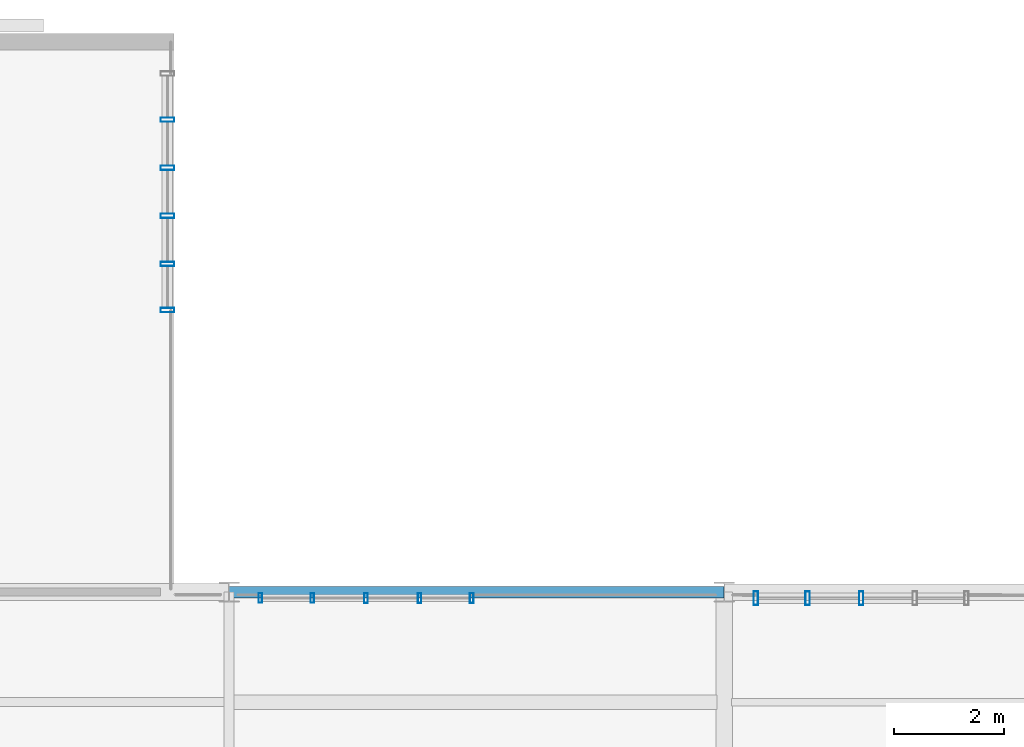
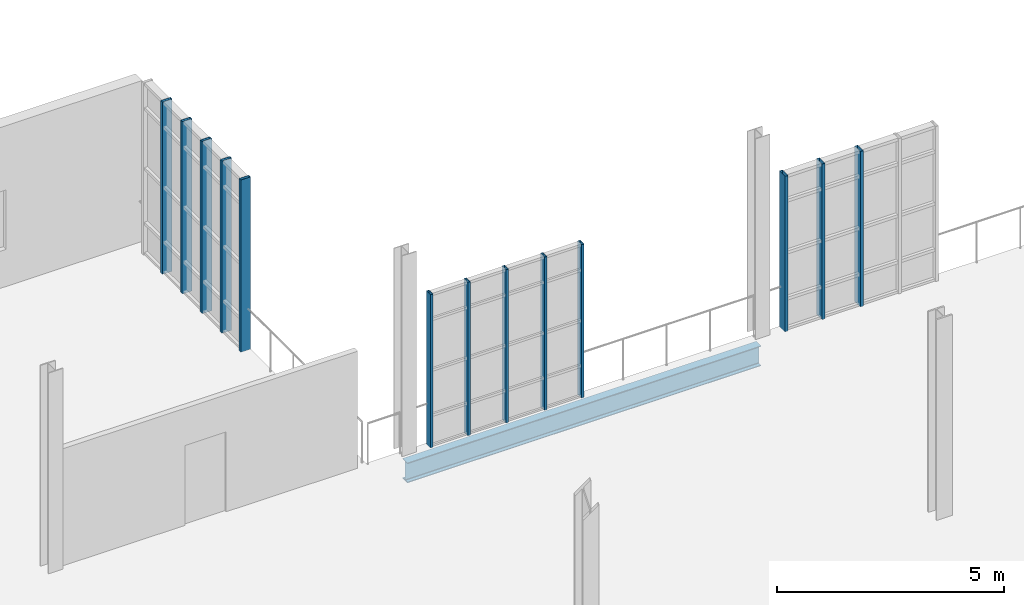
# One storey, part 57 of 142: 13 members, 1 beam, 3 elements without a shape of their own.
"""IFC4 building model written with IfcOpenShell, lengths in metres."""

from ifc_helpers import new_model, si_unit, direction, frame, origin, origin_2d, place, context, subcontext, project, spatial, hollow_rectangle, i_section, extrude, material, layer, layer_set, material_profile, profile_set, type_object, element, aggregate, save


model = new_model("IFC4")

# Units and contexts
model_context = context("Model", 3, precision=1e-05, world=origin(), true_north=direction((0.0, 1.0)))
body_context = subcontext(model_context, "Body", "Model", "MODEL_VIEW")
ifc_project = project(units=[si_unit("LENGTHUNIT", "METRE"), si_unit("AREAUNIT", "SQUARE_METRE"), si_unit("VOLUMEUNIT", "CUBIC_METRE"), si_unit("PLANEANGLEUNIT", "RADIAN"), si_unit("MASSUNIT", "GRAM", prefix="KILO"), si_unit("THERMODYNAMICTEMPERATUREUNIT", "KELVIN"), si_unit("POWERUNIT", "WATT")], contexts=[model_context])

# Site, building, storey
site_placement = place(None, origin())
site = spatial("IfcSite", under=ifc_project, at=site_placement, CompositionType="ELEMENT")
building_placement = place(site_placement, origin())
building = spatial("IfcBuilding", under=site, at=building_placement, Name="Zelmaris Science Centre", CompositionType="ELEMENT")
storey_placement = place(building_placement, frame((0.0, 0.0, 5.39990234375)))
storey = spatial("IfcBuildingStorey", under=building, at=storey_placement, Name="L01", CompositionType="ELEMENT", Elevation=5.39990234375)

# Curtain wall, members
ifc_material_1 = material(Name="Anodised architectural aluminium 6063-T6", Category="aluminium")
ifc_layer_1 = layer(ifc_material_1, 0.2099609375, Name="Anodised architectural aluminium 6063-T6")
ifc_layer_set_1 = layer_set([ifc_layer_1], Name="Anodised architectural aluminium 6063-T6")
curtain_wall_type_1 = type_object("IfcCurtainWallType", Name="Curtain Wall CW-03", PredefinedType="USERDEFINED", material=ifc_layer_set_1)
curtain_wall_1_placement = place(storey_placement, origin())
curtain_wall_1 = element("IfcCurtainWall", 1, at=curtain_wall_1_placement, inside=storey, type_object=curtain_wall_type_1, Name="L01 Unitised curtain wall 143", ObjectType="GLAZED CURTAIN WALL", PredefinedType="USERDEFINED")
ifc_material_profile_1 = material_profile(ifc_material_1, hollow_rectangle(XDim=0.06494140625, YDim=0.179931640625, WallThickness=0.00390625, at=origin_2d()), Name="ALU-MUL-65X180")
ifc_profile_set_1 = profile_set([ifc_material_profile_1], Name="Anodised architectural aluminium 6063-T6")
member_type_1 = type_object("IfcMemberType", Name="ALU-MUL-65X180", PredefinedType="MULLION", material=ifc_profile_set_1)
member_1_placement = place(storey_placement, frame((117.568359375, 55.892822265625, -0.014892578125), z_axis=(0.0, 0.0, 1.0), x_axis=(0.99999988059, -0.000488692171, 0.0)))
member_1 = element("IfcMember", 2, at=member_1_placement, type_object=member_type_1, Name="CW-03 mullion 1", PredefinedType="MULLION", context=body_context, shape_type="SweptSolid", body=[
    extrude(hollow_rectangle(XDim=0.06494140625, YDim=0.179931640625, WallThickness=0.00390625, at=origin_2d()), origin(), (0.0, 0.0, 1.0), 4.12890625),
])
member_2_placement = place(storey_placement, frame((118.514892578125, 55.892333984375, -0.014892578125), z_axis=(0.0, 0.0, 1.0), x_axis=(0.99999988059, -0.000488692171, 0.0)))
member_2 = element("IfcMember", 3, at=member_2_placement, type_object=member_type_1, Name="CW-03 mullion 2", PredefinedType="MULLION", context=body_context, shape_type="SweptSolid", body=[
    extrude(hollow_rectangle(XDim=0.06494140625, YDim=0.179931640625, WallThickness=0.00390625, at=origin_2d()), origin(), (0.0, 0.0, 1.0), 4.12890625),
])
member_3_placement = place(storey_placement, frame((119.489990234375, 55.891845703125, -0.014892578125), z_axis=(0.0, 0.0, 1.0), x_axis=(0.99999988059, -0.000488692171, 0.0)))
member_3 = element("IfcMember", 4, at=member_3_placement, type_object=member_type_1, Name="CW-03 mullion 3", PredefinedType="MULLION", context=body_context, shape_type="SweptSolid", body=[
    extrude(hollow_rectangle(XDim=0.06494140625, YDim=0.179931640625, WallThickness=0.00390625, at=origin_2d()), origin(), (0.0, 0.0, 1.0), 4.12890625),
])
member_4_placement = place(storey_placement, frame((120.46484375, 55.891357421875, -0.014892578125), z_axis=(0.0, 0.0, 1.0), x_axis=(0.99999988059, -0.000488692171, 0.0)))
member_4 = element("IfcMember", 5, at=member_4_placement, type_object=member_type_1, Name="CW-03 mullion 4", PredefinedType="MULLION", context=body_context, shape_type="SweptSolid", body=[
    extrude(hollow_rectangle(XDim=0.06494140625, YDim=0.179931640625, WallThickness=0.00390625, at=origin_2d()), origin(), (0.0, 0.0, 1.0), 4.12890625),
])
member_5_placement = place(storey_placement, frame((121.411376953125, 55.89111328125, -0.014892578125), z_axis=(0.0, 0.0, 1.0), x_axis=(0.99999988059, -0.000488692171, 0.0)))
member_5 = element("IfcMember", 6, at=member_5_placement, type_object=member_type_1, Name="CW-03 mullion 5", PredefinedType="MULLION", context=body_context, shape_type="SweptSolid", body=[
    extrude(hollow_rectangle(XDim=0.06494140625, YDim=0.179931640625, WallThickness=0.00390625, at=origin_2d()), origin(), (0.0, 0.0, 1.0), 4.12890625),
])
aggregate(curtain_wall_1, [member_1, member_2, member_3, member_4, member_5])

ifc_layer_2 = layer(ifc_material_1, 0.18994140625, Name="Anodised architectural aluminium 6063-T6")
ifc_layer_set_2 = layer_set([ifc_layer_2], Name="Anodised architectural aluminium 6063-T6")
curtain_wall_type_2 = type_object("IfcCurtainWallType", Name="Curtain Wall CW-01", PredefinedType="USERDEFINED", material=ifc_layer_set_2)
curtain_wall_2_placement = place(storey_placement, origin())
curtain_wall_2 = element("IfcCurtainWall", 7, at=curtain_wall_2_placement, inside=storey, type_object=curtain_wall_type_2, Name="L01 Unitised curtain wall 141", ObjectType="GLAZED CURTAIN WALL", PredefinedType="USERDEFINED")
ifc_material_profile_2 = material_profile(ifc_material_1, hollow_rectangle(XDim=0.080078125, YDim=0.25, WallThickness=0.0048828125, at=origin_2d()), Name="ALU-MUL-80X250")
ifc_profile_set_2 = profile_set([ifc_material_profile_2], Name="Anodised architectural aluminium 6063-T6")
member_type_2 = type_object("IfcMemberType", Name="ALU-MUL-80X250", PredefinedType="MULLION", material=ifc_profile_set_2)
member_6_placement = place(storey_placement, frame((115.8798828125, 64.5859375, -0.014892578125), z_axis=(0.0, 0.0, 1.0), x_axis=(6.981317e-06, -0.999999999976, 0.0)))
member_6 = element("IfcMember", 8, at=member_6_placement, type_object=member_type_2, Name="CW-01 mullion 2", PredefinedType="MULLION", context=body_context, shape_type="SweptSolid", body=[
    extrude(hollow_rectangle(XDim=0.080078125, YDim=0.25, WallThickness=0.0048828125, at=origin_2d()), origin(), (0.0, 0.0, 1.0), 4.635009765625),
])
member_7_placement = place(storey_placement, frame((115.8798828125, 63.7119140625, -0.014892578125), z_axis=(0.0, 0.0, 1.0), x_axis=(6.981317e-06, -0.999999999976, 0.0)))
member_7 = element("IfcMember", 9, at=member_7_placement, type_object=member_type_2, Name="CW-01 mullion 3", PredefinedType="MULLION", context=body_context, shape_type="SweptSolid", body=[
    extrude(hollow_rectangle(XDim=0.080078125, YDim=0.25, WallThickness=0.0048828125, at=origin_2d()), origin(), (0.0, 0.0, 1.0), 4.635009765625),
])
member_8_placement = place(storey_placement, frame((115.8798828125, 62.837890625, -0.014892578125), z_axis=(0.0, 0.0, 1.0), x_axis=(6.981317e-06, -0.999999999976, 0.0)))
member_8 = element("IfcMember", 10, at=member_8_placement, type_object=member_type_2, Name="CW-01 mullion 4", PredefinedType="MULLION", context=body_context, shape_type="SweptSolid", body=[
    extrude(hollow_rectangle(XDim=0.080078125, YDim=0.25, WallThickness=0.0048828125, at=origin_2d()), origin(), (0.0, 0.0, 1.0), 4.635009765625),
])
member_9_placement = place(storey_placement, frame((115.8798828125, 61.9638671875, -0.014892578125), z_axis=(0.0, 0.0, 1.0), x_axis=(6.981317e-06, -0.999999999976, 0.0)))
member_9 = element("IfcMember", 11, at=member_9_placement, type_object=member_type_2, Name="CW-01 mullion 5", PredefinedType="MULLION", context=body_context, shape_type="SweptSolid", body=[
    extrude(hollow_rectangle(XDim=0.080078125, YDim=0.25, WallThickness=0.0048828125, at=origin_2d()), origin(), (0.0, 0.0, 1.0), 4.635009765625),
])
member_10_placement = place(storey_placement, frame((115.8798828125, 61.1259765625, -0.014892578125), z_axis=(0.0, 0.0, 1.0), x_axis=(6.981317e-06, -0.999999999976, 0.0)))
member_10 = element("IfcMember", 12, at=member_10_placement, type_object=member_type_2, Name="CW-01 mullion 6", PredefinedType="MULLION", context=body_context, shape_type="SweptSolid", body=[
    extrude(hollow_rectangle(XDim=0.080078125, YDim=0.25, WallThickness=0.0048828125, at=origin_2d()), origin(), (0.0, 0.0, 1.0), 4.635009765625),
])
aggregate(curtain_wall_2, [member_6, member_7, member_8, member_9, member_10])

curtain_wall_3_placement = place(storey_placement, origin())
curtain_wall_3 = element("IfcCurtainWall", 13, at=curtain_wall_3_placement, inside=storey, type_object=curtain_wall_type_2, Name="L01 Unitised curtain wall 145", ObjectType="GLAZED CURTAIN WALL", PredefinedType="USERDEFINED")
member_11_placement = place(storey_placement, frame((126.575927734375, 55.888427734375, -0.014892578125), z_axis=(0.0, 0.0, 1.0), x_axis=(0.99999988059, -0.000488692171, 0.0)))
member_11 = element("IfcMember", 14, at=member_11_placement, type_object=member_type_2, Name="CW-01 mullion 1", PredefinedType="MULLION", context=body_context, shape_type="SweptSolid", body=[
    extrude(hollow_rectangle(XDim=0.080078125, YDim=0.25, WallThickness=0.0048828125, at=origin_2d()), origin(), (0.0, 0.0, 1.0), 4.18798828125),
])
member_12_placement = place(storey_placement, frame((127.514892578125, 55.887939453125, -0.014892578125), z_axis=(0.0, 0.0, 1.0), x_axis=(0.99999988059, -0.000488692171, 0.0)))
member_12 = element("IfcMember", 15, at=member_12_placement, type_object=member_type_2, Name="CW-01 mullion 2", PredefinedType="MULLION", context=body_context, shape_type="SweptSolid", body=[
    extrude(hollow_rectangle(XDim=0.080078125, YDim=0.25, WallThickness=0.0048828125, at=origin_2d()), origin(), (0.0, 0.0, 1.0), 4.18798828125),
])
member_13_placement = place(storey_placement, frame((128.489990234375, 55.887451171875, -0.014892578125), z_axis=(0.0, 0.0, 1.0), x_axis=(0.99999988059, -0.000488692171, 0.0)))
member_13 = element("IfcMember", 16, at=member_13_placement, type_object=member_type_2, Name="CW-01 mullion 3", PredefinedType="MULLION", context=body_context, shape_type="SweptSolid", body=[
    extrude(hollow_rectangle(XDim=0.080078125, YDim=0.25, WallThickness=0.0048828125, at=origin_2d()), origin(), (0.0, 0.0, 1.0), 4.18798828125),
])
aggregate(curtain_wall_3, [member_11, member_12, member_13])

# Beam
ifc_material_2 = material(Name="Steel ASTM A992 Grade 50", Category="steel")
ifc_material_profile_3 = material_profile(ifc_material_2, i_section(OverallWidth=0.2109375, OverallDepth=0.5380859375, WebThickness=0.01171875, FlangeThickness=0.018798828125, FilletRadius=0.013916015625, at=origin_2d()), Name="W21X73")
ifc_profile_set_3 = profile_set([ifc_material_profile_3], Name="Steel ASTM A992 Grade 50")
beam_type = type_object("IfcBeamType", Name="Beam G-19 W21X73", PredefinedType="BEAM", material=ifc_profile_set_3)
beam_placement = place(storey_placement, frame((117.0, 56.0, -0.548828125), z_axis=(1.0, 0.0, 0.0), x_axis=(0.0, 1.0, 0.0)))
element("IfcBeam", 17, at=beam_placement, inside=storey, type_object=beam_type, Name="L01 East-west girder 384", PredefinedType="BEAM", context=body_context, shape_type="SweptSolid", body=[
    extrude(i_section(OverallWidth=0.2109375, OverallDepth=0.5380859375, WebThickness=0.01171875, FlangeThickness=0.018798828125, FilletRadius=0.013916015625, at=origin_2d()), origin(), (0.0, 0.0, 1.0), 9.0),
])

save(model, "model.ifc")
